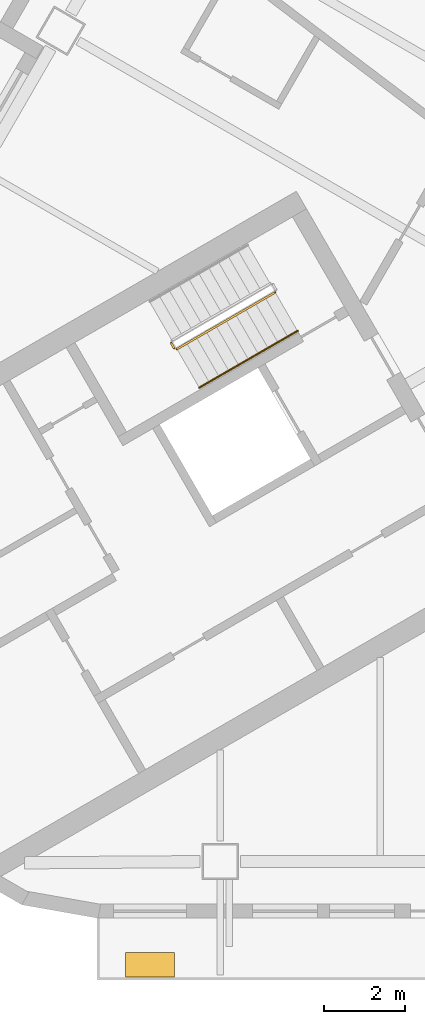
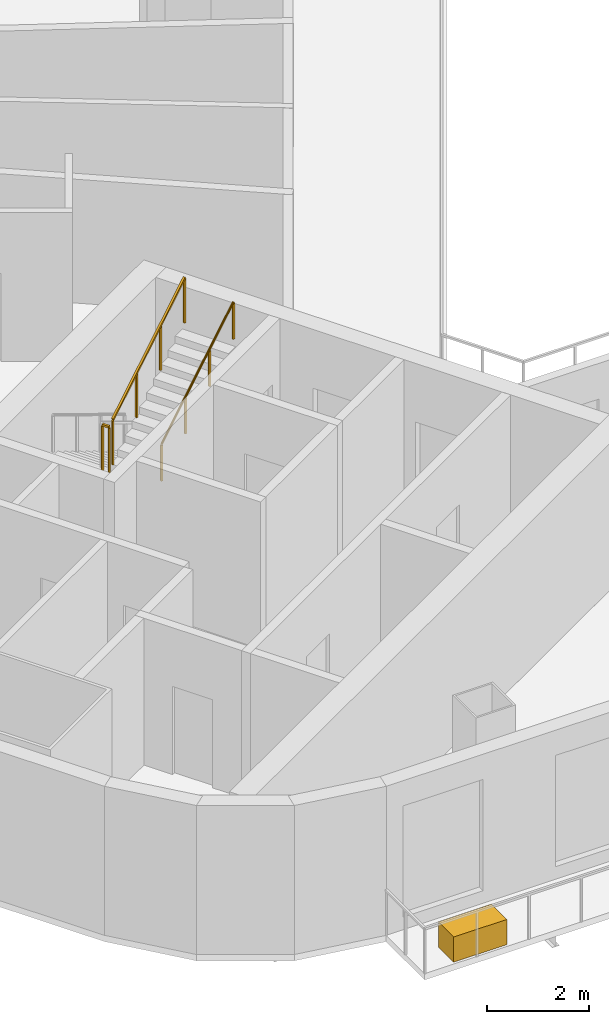
# One storey, part 9 of 14: 3 railings, 1 covering.
"""IFC4 building model written with IfcOpenShell, lengths in metres."""

from ifc_helpers import new_model, si_unit, direction, frame, origin, origin_2d, place, context, subcontext, project, spatial, rectangle, circle, extrude, material, type_object, element, save


model = new_model("IFC4")

# Units and contexts
model_context = context("Model", 3, precision=1e-05, world=origin(), true_north=direction((0.0, 1.0)))
body_context = subcontext(model_context, "Body", "Model", "MODEL_VIEW")
ifc_project = project(units=[si_unit("LENGTHUNIT", "METRE"), si_unit("AREAUNIT", "SQUARE_METRE"), si_unit("VOLUMEUNIT", "CUBIC_METRE"), si_unit("PLANEANGLEUNIT", "RADIAN"), si_unit("MASSUNIT", "GRAM", prefix="KILO")], contexts=[model_context])

# Site, building, storey
site_placement = place(None, origin())
site = spatial("IfcSite", under=ifc_project, at=site_placement, CompositionType="ELEMENT")
building_placement = place(site_placement, origin())
building = spatial("IfcBuilding", under=site, at=building_placement, Name="Apuvela Tower Hotel", CompositionType="ELEMENT")
storey_placement = place(building_placement, frame((0.0, 0.0, 87.199951171875)))
storey = spatial("IfcBuildingStorey", under=building, at=storey_placement, Name="L19", CompositionType="ELEMENT", Elevation=87.199951171875)

# Railings
ifc_material_1 = material(Name="Steel S275 balustrade", Category="steel")
railing_type_1 = type_object("IfcRailingType", Name="COR-GUARD-1100", PredefinedType="GUARDRAIL", material=ifc_material_1)
railing_1_placement = place(storey_placement, frame((-17.01220703125, -5.43408203125, 1.85009765625)))
element("IfcRailing", 1, at=railing_1_placement, inside=storey, type_object=railing_type_1, Name="L19 ST2 stair guard 2", PredefinedType="GUARDRAIL", context=body_context, shape_type="SweptSolid", body=[
    extrude(rectangle(XDim=0.048095703125, YDim=0.048095703125, at=origin_2d()), frame((0.0, 0.0, 1.076171875), z_axis=(0.499816412211, -0.866131372301, 0.0), x_axis=(0.866131372301, 0.499816412211, 0.0)), (0.0, 0.0, 1.0), 0.14990234375),
    extrude(rectangle(XDim=0.0419921875, YDim=0.0419921875, at=origin_2d()), origin(), (0.0, 0.0, 1.0), 1.052001953125),
    extrude(rectangle(XDim=0.0419921875, YDim=0.0419921875, at=origin_2d()), frame((0.074951171875, -0.1298828125, 0.0)), (0.0, 0.0, 1.0), 1.052001953125),
])
railing_2_placement = place(storey_placement, frame((-16.868896484375, -5.582275390625, 2.018310546875)))
element("IfcRailing", 2, at=railing_2_placement, inside=storey, type_object=railing_type_1, Name="L19 ST2 stair guard 3", PredefinedType="GUARDRAIL", context=body_context, shape_type="SweptSolid", body=[
    extrude(rectangle(XDim=0.048095703125, YDim=0.048095703125, at=origin_2d()), frame((0.0, 0.0, 1.076171875), z_axis=(0.74241905619, 0.428617687091, 0.514879426), x_axis=(-0.49998411664, 0.866034573852, 0.0)), (0.0, 0.0, 1.0), 3.26611328125),
    extrude(rectangle(XDim=0.0419921875, YDim=0.0419921875, at=origin_2d()), origin(), (0.0, 0.0, 1.0), 1.052001953125),
    extrude(rectangle(XDim=0.0419921875, YDim=0.0419921875, at=origin_2d()), frame((0.808349609375, 0.466552734375, 0.560546875)), (0.0, 0.0, 1.0), 1.052001953125),
    extrude(rectangle(XDim=0.0419921875, YDim=0.0419921875, at=origin_2d()), frame((1.616455078125, 0.933349609375, 1.12109375)), (0.0, 0.0, 1.0), 1.052001953125),
    extrude(rectangle(XDim=0.0419921875, YDim=0.0419921875, at=origin_2d()), frame((2.4248046875, 1.39990234375, 1.681640625)), (0.0, 0.0, 1.0), 1.052001953125),
])
ifc_material_2 = material(Name="Stainless steel 316 handrail", Category="steel")
railing_type_2 = type_object("IfcRailingType", Name="COR-HANDRAIL-900", PredefinedType="HANDRAIL", material=ifc_material_2)
railing_3_placement = place(storey_placement, frame((-16.31884765625, -6.534912109375, 2.018310546875)))
element("IfcRailing", 3, at=railing_3_placement, inside=storey, type_object=railing_type_2, Name="L19 ST2 stair handrail 2", PredefinedType="HANDRAIL", context=body_context, shape_type="SweptSolid", body=[
    extrude(circle(Radius=0.02392578125, at=origin_2d()), frame((0.0, 0.0, 0.8759765625), z_axis=(0.74241905619, 0.428617687091, 0.514879426), x_axis=(-0.49998411664, 0.866034573852, 0.0)), (0.0, 0.0, 1.0), 3.26611328125),
    extrude(rectangle(XDim=0.0419921875, YDim=0.0419921875, at=origin_2d()), origin(), (0.0, 0.0, 1.0), 0.851806640625),
    extrude(rectangle(XDim=0.0419921875, YDim=0.0419921875, at=origin_2d()), frame((0.808349609375, 0.466552734375, 0.560546875)), (0.0, 0.0, 1.0), 0.851806640625),
    extrude(rectangle(XDim=0.0419921875, YDim=0.0419921875, at=origin_2d()), frame((1.616455078125, 0.933349609375, 1.12109375)), (0.0, 0.0, 1.0), 0.851806640625),
    extrude(rectangle(XDim=0.0419921875, YDim=0.0419921875, at=origin_2d()), frame((2.4248046875, 1.39990234375, 1.681640625)), (0.0, 0.0, 1.0), 0.851806640625),
])

# Covering
ifc_material_3 = material(Name="Planting substrate and soil, planted")
covering_type = type_object("IfcCoveringType", Name="ENV-PLANTER-1200x600", PredefinedType="USERDEFINED", material=ifc_material_3)
covering_placement = place(storey_placement, frame((-17.53515625, -20.780029296875, 0.0), z_axis=(0.0, 0.0, 1.0), x_axis=(1.0, 0.0, 0.0)))
element("IfcCovering", 4, at=covering_placement, inside=storey, type_object=covering_type, Name="Planter S1", ObjectType="PLANTER", PredefinedType="USERDEFINED", context=body_context, shape_type="SweptSolid", body=[
    extrude(rectangle(XDim=1.199951171875, YDim=0.60009765625, at=origin_2d()), origin(), (0.0, 0.0, 1.0), 0.60009765625),
])

save(model, "model.ifc")
